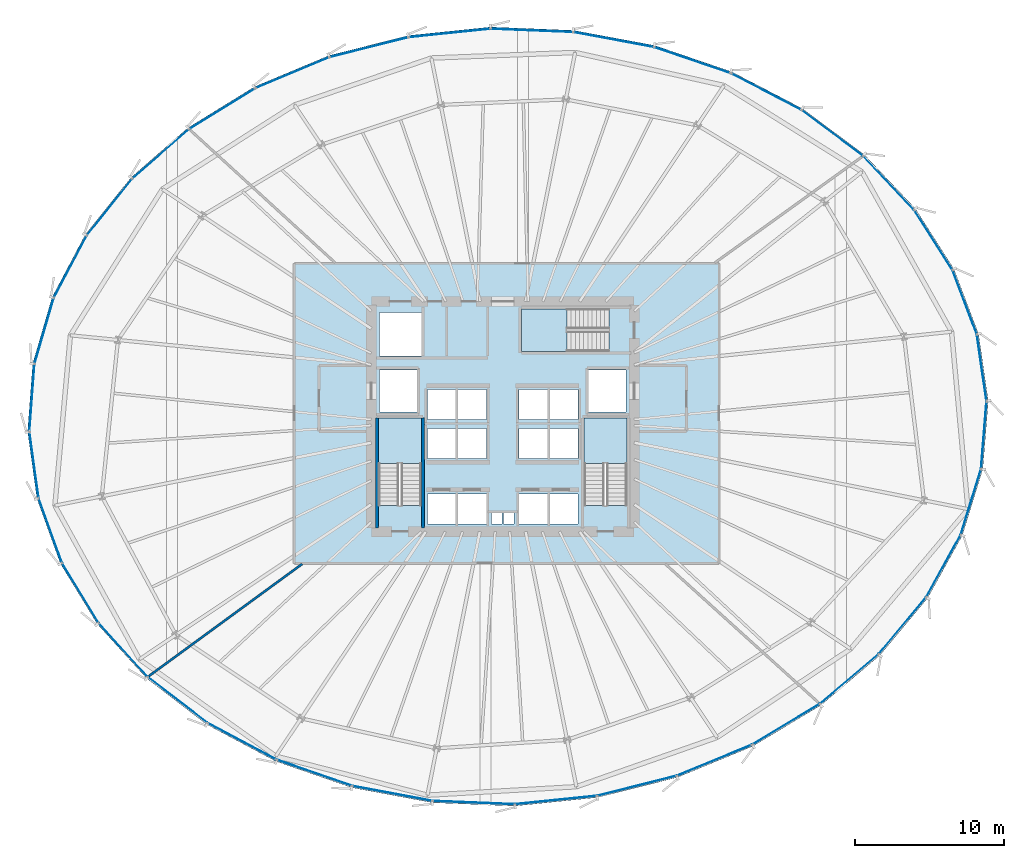
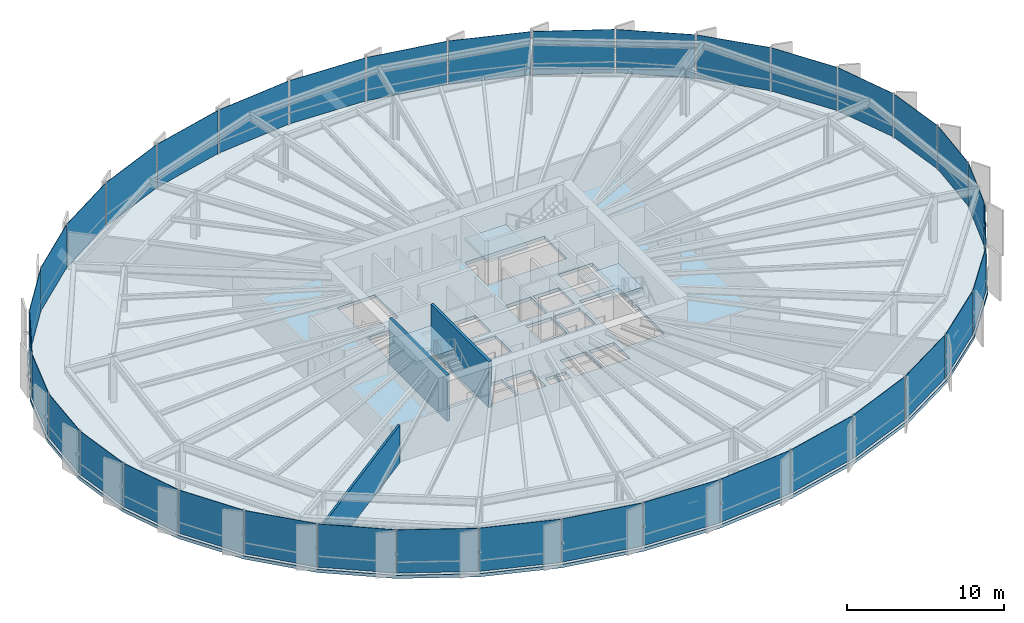
# One storey, part 33 of 42: 36 plates, 4 slabs, 3 walls, 9 elements without a shape of their own.
"""IFC4 building model written with IfcOpenShell, lengths in metres."""

from ifc_helpers import new_model, si_unit, direction, frame, frame_2d, origin, origin_2d, place, context, subcontext, project, spatial, polyline, rectangle, outline, extrude, source, transform, mapped, material, layer, layer_set, type_object, element, aggregate, save


model = new_model("IFC4")

# Units and contexts
model_context = context("Model", 3, precision=1e-05, world=origin(), true_north=direction((0.0, 1.0)))
body_context = subcontext(model_context, "Body", "Model", "MODEL_VIEW")
ifc_project = project(units=[si_unit("LENGTHUNIT", "METRE"), si_unit("AREAUNIT", "SQUARE_METRE"), si_unit("VOLUMEUNIT", "CUBIC_METRE"), si_unit("PLANEANGLEUNIT", "RADIAN"), si_unit("MASSUNIT", "GRAM", prefix="KILO"), si_unit("THERMODYNAMICTEMPERATUREUNIT", "KELVIN")], contexts=[model_context])

# Site, building, storey
site_placement = place(None, origin())
site = spatial("IfcSite", under=ifc_project, at=site_placement, CompositionType="ELEMENT")
building_placement = place(site_placement, origin())
building = spatial("IfcBuilding", under=site, at=building_placement, Name="Kethvar Cultural Tower", CompositionType="ELEMENT")
storey_placement = place(building_placement, frame((0.0, 0.0, 37.199951171875)))
storey = spatial("IfcBuildingStorey", under=building, at=storey_placement, Name="L08", CompositionType="ELEMENT", Elevation=37.199951171875)

# Stair, slab
ifc_material_1 = material(Name="Concrete C40/50", Category="concrete")
stair_type = type_object("IfcStairType", Name="ST-DOGLEG-135", PredefinedType="HALF_TURN_STAIR", material=ifc_material_1)
stair_1_placement = place(storey_placement, origin())
stair_1 = element("IfcStair", 1, at=stair_1_placement, inside=storey, type_object=stair_type, Name="L08 Core Exit Stair 1", PredefinedType="HALF_TURN_STAIR")
ifc_layer_1 = layer(ifc_material_1, 0.199951171875, Name="Concrete C40/50", Category="concrete")
ifc_layer_set_1 = layer_set([ifc_layer_1], Name="Concrete C40/50 (200 mm)")
slab_type_1 = type_object("IfcSlabType", Name="SL-STAIR-LANDING-200", PredefinedType="LANDING", material=ifc_layer_set_1)
slab_1_placement = place(storey_placement, frame((0.0, 0.0, 1.699951171875)))
slab_1 = element("IfcSlab", 2, at=slab_1_placement, type_object=slab_type_1, Name="ST-01 landing 1", PredefinedType="LANDING", context=body_context, shape_type="SweptSolid", body=[
    extrude(outline(polyline([(41.35009765625, 24.64990234375), (41.35009765625, 27.699951171875), (38.489990234375, 27.699951171875), (38.489990234375, 24.64990234375), (41.35009765625, 24.64990234375)])), origin(), (0.0, 0.0, 1.0), 0.2001953125),
])
aggregate(stair_1, [slab_1])

stair_2_placement = place(storey_placement, origin())
stair_2 = element("IfcStair", 3, at=stair_2_placement, inside=storey, type_object=stair_type, Name="L08 Core Exit Stair 2", PredefinedType="HALF_TURN_STAIR")
slab_2_placement = place(storey_placement, frame((0.0, 0.0, 1.699951171875)))
slab_2 = element("IfcSlab", 4, at=slab_2_placement, type_object=slab_type_1, Name="ST-02 landing 1", PredefinedType="LANDING", context=body_context, shape_type="SweptSolid", body=[
    extrude(outline(polyline([(55.110107421875, 24.64990234375), (55.110107421875, 27.699951171875), (52.25, 27.699951171875), (52.25, 24.64990234375), (55.110107421875, 24.64990234375)])), origin(), (0.0, 0.0, 1.0), 0.2001953125),
])
aggregate(stair_2, [slab_2])

stair_3_placement = place(storey_placement, origin())
stair_3 = element("IfcStair", 5, at=stair_3_placement, inside=storey, type_object=stair_type, Name="L08 Core Exit Stair 3", PredefinedType="HALF_TURN_STAIR")
slab_3_placement = place(storey_placement, frame((0.0, 0.0, 1.699951171875)))
slab_3 = element("IfcSlab", 6, at=slab_3_placement, type_object=slab_type_1, Name="ST-03 landing 1", PredefinedType="LANDING", context=body_context, shape_type="SweptSolid", body=[
    extrude(outline(polyline([(51.10009765625, 35.010009765625), (48.050048828125, 35.010009765625), (48.050048828125, 32.14990234375), (51.10009765625, 32.14990234375), (51.10009765625, 35.010009765625)])), origin(), (0.0, 0.0, 1.0), 0.2001953125),
])
aggregate(stair_3, [slab_3])

# Slab
ifc_layer_2 = layer(ifc_material_1, 0.25, Name="Concrete C40/50", Category="concrete")
ifc_layer_set_2 = layer_set([ifc_layer_2], Name="Concrete C40/50 (250 mm)")
slab_type_2 = type_object("IfcSlabType", Name="SL-TOW-250", PredefinedType="FLOOR", material=ifc_layer_set_2)
slab_4_placement = place(storey_placement, frame((0.0, 0.0, -0.25)))
element("IfcSlab", 7, at=slab_4_placement, inside=storey, type_object=slab_type_2, Name="L08 Structural Floor Slab", PredefinedType="FLOOR", context=body_context, shape_type="SweptSolid", body=[
    extrude(outline(polyline([(79.300537109375, 28.8212890625), (78.64892578125, 33.332275390625), (77.001708984375, 37.67431640625), (74.419189453125, 41.715576171875), (70.99365234375, 45.333984375), (66.845458984375, 48.420166015625), (62.114501953125, 50.880615234375), (56.95458984375, 52.640625), (51.524169921875, 53.6474609375), (45.980712890625, 53.86962890625), (40.470947265625, 53.300048828125), (35.153564453125, 51.95556640625), (30.18994140625, 49.877197265625), (25.731201171875, 47.128173828125), (21.91259765625, 43.79150390625), (18.85009765625, 39.96923828125), (16.63671875, 35.777099609375), (15.33984375, 31.3427734375), (14.9990234375, 26.800537109375), (15.62451171875, 22.288818359375), (17.197021484375, 17.944580078125), (19.669189453125, 13.899658203125), (22.9658203125, 10.277099609375), (26.986328125, 7.18701171875), (31.60888671875, 4.723388671875), (36.693359375, 2.960693359375), (42.084716796875, 1.952880859375), (47.619384765625, 1.73046875), (53.1376953125, 2.30029296875), (58.494384765625, 3.64599609375), (63.53369140625, 5.7265625), (68.1005859375, 8.479248046875), (72.046875, 11.819580078125), (75.23828125, 15.64599609375), (77.562255859375, 19.841552734375), (78.933349609375, 24.2783203125), (79.300537109375, 28.8212890625)]), holes=[polyline([(38.489990234375, 21.85009765625), (38.489990234375, 27.699951171875), (41.35009765625, 27.699951171875), (41.35009765625, 21.85009765625), (38.489990234375, 21.85009765625)]), polyline([(52.25, 21.85009765625), (52.25, 27.699951171875), (55.110107421875, 27.699951171875), (55.110107421875, 21.85009765625), (52.25, 21.85009765625)]), polyline([(53.89990234375, 32.14990234375), (48.050048828125, 32.14990234375), (48.050048828125, 35.010009765625), (53.89990234375, 35.010009765625), (53.89990234375, 32.14990234375)]), polyline([(41.75, 22.60009765625), (43.64990234375, 22.60009765625), (43.64990234375, 20.60009765625), (41.75, 20.60009765625), (41.75, 22.60009765625)]), polyline([(43.800048828125, 22.60009765625), (45.699951171875, 22.60009765625), (45.699951171875, 20.60009765625), (43.800048828125, 20.60009765625), (43.800048828125, 22.60009765625)]), polyline([(47.89990234375, 22.60009765625), (49.800048828125, 22.60009765625), (49.800048828125, 20.60009765625), (47.89990234375, 20.60009765625), (47.89990234375, 22.60009765625)]), polyline([(49.949951171875, 22.60009765625), (51.85009765625, 22.60009765625), (51.85009765625, 20.60009765625), (49.949951171875, 20.60009765625), (49.949951171875, 22.60009765625)]), polyline([(41.75, 27.0), (43.64990234375, 27.0), (43.64990234375, 25.0), (41.75, 25.0), (41.75, 27.0)]), polyline([(43.800048828125, 27.0), (45.699951171875, 27.0), (45.699951171875, 25.0), (43.800048828125, 25.0), (43.800048828125, 27.0)]), polyline([(47.89990234375, 27.0), (49.800048828125, 27.0), (49.800048828125, 25.0), (47.89990234375, 25.0), (47.89990234375, 27.0)]), polyline([(49.949951171875, 27.0), (51.85009765625, 27.0), (51.85009765625, 25.0), (49.949951171875, 25.0), (49.949951171875, 27.0)]), polyline([(41.75, 29.60009765625), (43.64990234375, 29.60009765625), (43.64990234375, 27.60009765625), (41.75, 27.60009765625), (41.75, 29.60009765625)]), polyline([(43.800048828125, 29.60009765625), (45.699951171875, 29.60009765625), (45.699951171875, 27.60009765625), (43.800048828125, 27.60009765625), (43.800048828125, 29.60009765625)]), polyline([(47.89990234375, 29.60009765625), (49.800048828125, 29.60009765625), (49.800048828125, 27.60009765625), (47.89990234375, 27.60009765625), (47.89990234375, 29.60009765625)]), polyline([(49.949951171875, 29.60009765625), (51.85009765625, 29.60009765625), (51.85009765625, 27.60009765625), (49.949951171875, 27.60009765625), (49.949951171875, 29.60009765625)]), polyline([(38.550048828125, 30.89990234375), (41.050048828125, 30.89990234375), (41.050048828125, 28.10009765625), (38.550048828125, 28.10009765625), (38.550048828125, 30.89990234375)]), polyline([(52.550048828125, 30.89990234375), (55.050048828125, 30.89990234375), (55.050048828125, 28.10009765625), (52.550048828125, 28.10009765625), (52.550048828125, 30.89990234375)]), polyline([(38.550048828125, 34.75), (41.35009765625, 34.75), (41.35009765625, 31.85009765625), (38.550048828125, 31.85009765625), (38.550048828125, 34.75)]), polyline([(46.050048828125, 21.35009765625), (46.75, 21.35009765625), (46.75, 20.60009765625), (46.050048828125, 20.60009765625), (46.050048828125, 21.35009765625)]), polyline([(46.85009765625, 21.35009765625), (47.550048828125, 21.35009765625), (47.550048828125, 20.60009765625), (46.85009765625, 20.60009765625), (46.85009765625, 21.35009765625)])]), origin(), (0.0, 0.0, 1.0), 0.25),
])

# Curtain wall, plate
ifc_material_2 = material(Name="Aluminium 6063-T6", Category="aluminium")
ifc_layer_3 = layer(ifc_material_2, 0.179931640625, Name="Aluminium 6063-T6", Category="aluminium")
ifc_layer_set_3 = layer_set([ifc_layer_3], Name="Aluminium 6063-T6 (180 mm)")
curtain_wall_type = type_object("IfcCurtainWallType", Name="CW-SYS-02-Z1", PredefinedType="NOTDEFINED", material=ifc_layer_set_3)
curtain_wall_1_placement = place(storey_placement, origin())
curtain_wall_1 = element("IfcCurtainWall", 8, at=curtain_wall_1_placement, inside=storey, type_object=curtain_wall_type, Name="L08 Curtain Wall Run 01", PredefinedType="NOTDEFINED")
ifc_material_3 = material(Name="Insulated Low-E Solar Glass", Category="glass")
ifc_layer_4 = layer(ifc_material_3, 0.031982421875, Name="Insulated Low-E Solar Glass", Category="glass")
ifc_layer_set_4 = layer_set([ifc_layer_4], Name="Insulated Low-E Solar Glass (32 mm)")
plate_type = type_object("IfcPlateType", Name="CW-SYS-02-Z1-PNL", PredefinedType="CURTAIN_PANEL", material=ifc_layer_set_4)
shared_shape_1 = source(origin(), body_context, "Body", "SweptSolid", [
    extrude(rectangle(XDim=4.464111328125, YDim=0.031982421875, at=origin_2d()), origin(), (0.0, 0.0, 1.0), 3.35009765625),
])
plate_1_placement = place(storey_placement, frame((78.85595703125, 31.059814453125, 0.10009765625), z_axis=(0.0, 0.0, 1.0), x_axis=(-0.142991696053, 0.989723888193, 0.0)))
plate_1 = element("IfcPlate", 9, at=plate_1_placement, type_object=plate_type, Name="CW-L08-R01 Vision Glazing Panel 1", PredefinedType="CURTAIN_PANEL", context=body_context, shape_type="MappedRepresentation", body=[
    mapped(shared_shape_1, transform((0.0, 0.0, 0.0), scale=1.0)),
])

curtain_wall_2_placement = place(storey_placement, origin())
curtain_wall_2 = element("IfcCurtainWall", 10, at=curtain_wall_2_placement, inside=storey, type_object=curtain_wall_type, Name="L08 Curtain Wall Run 06", PredefinedType="NOTDEFINED")
plate_2_placement = place(storey_placement, frame((78.997314453125, 26.5595703125, 0.10009765625), z_axis=(0.0, 0.0, 1.0), x_axis=(0.080564257474, 0.996749417064, 0.0)))
plate_2 = element("IfcPlate", 11, at=plate_2_placement, type_object=plate_type, Name="CW-L08-R06 Vision Glazing Panel 6", PredefinedType="CURTAIN_PANEL", context=body_context, shape_type="MappedRepresentation", body=[
    mapped(shared_shape_1, transform((0.0, 0.0, 0.0), scale=1.0)),
])

# Plate
shared_shape_2 = source(origin(), body_context, "Body", "SweptSolid", [
    extrude(rectangle(XDim=4.55029296875, YDim=0.031982421875, at=origin_2d()), origin(), (0.0, 0.0, 1.0), 3.35009765625),
])
plate_3_placement = place(storey_placement, frame((77.713134765625, 35.460693359375, 0.10009765625), z_axis=(0.0, 0.0, 1.0), x_axis=(-0.354682715425, 0.934986722568, 0.0)))
plate_3 = element("IfcPlate", 12, at=plate_3_placement, type_object=plate_type, Name="CW-L08-R01 Vision Glazing Panel 2", PredefinedType="CURTAIN_PANEL", context=body_context, shape_type="MappedRepresentation", body=[
    mapped(shared_shape_2, transform((0.0, 0.0, 0.0), scale=1.0)),
])

plate_4_placement = place(storey_placement, frame((78.13330078125, 22.095458984375, 0.10009765625), z_axis=(0.0, 0.0, 1.0), x_axis=(0.295274528043, 0.955412451818, 0.0)))
plate_4 = element("IfcPlate", 13, at=plate_4_placement, type_object=plate_type, Name="CW-L08-R06 Vision Glazing Panel 5", PredefinedType="CURTAIN_PANEL", context=body_context, shape_type="MappedRepresentation", body=[
    mapped(shared_shape_2, transform((0.0, 0.0, 0.0), scale=1.0)),
])

shared_shape_3 = source(origin(), body_context, "Body", "SweptSolid", [
    extrude(rectangle(XDim=4.702392578125, YDim=0.031982421875, at=origin_2d()), origin(), (0.0, 0.0, 1.0), 3.35009765625),
])
plate_5_placement = place(storey_placement, frame((75.609375, 39.63037109375, 0.10009765625), z_axis=(0.0, 0.0, 1.0), x_axis=(-0.538506094198, 0.842621615265, 0.0)))
plate_5 = element("IfcPlate", 14, at=plate_5_placement, type_object=plate_type, Name="CW-L08-R01 Vision Glazing Panel 3", PredefinedType="CURTAIN_PANEL", context=body_context, shape_type="MappedRepresentation", body=[
    mapped(shared_shape_3, transform((0.0, 0.0, 0.0), scale=1.0)),
])

shared_shape_4 = source(origin(), body_context, "Body", "SweptSolid", [
    extrude(rectangle(XDim=4.88916015625, YDim=0.031982421875, at=origin_2d()), origin(), (0.0, 0.0, 1.0), 3.35009765625),
])
plate_6_placement = place(storey_placement, frame((72.619140625, 43.4423828125, 0.10009765625), z_axis=(0.0, 0.0, 1.0), x_axis=(-0.687467850211, 0.726214813211, 0.0)))
plate_6 = element("IfcPlate", 15, at=plate_6_placement, type_object=plate_type, Name="CW-L08-R01 Vision Glazing Panel 4", PredefinedType="CURTAIN_PANEL", context=body_context, shape_type="MappedRepresentation", body=[
    mapped(shared_shape_4, transform((0.0, 0.0, 0.0), scale=1.0)),
])

shared_shape_5 = source(origin(), body_context, "Body", "SweptSolid", [
    extrude(rectangle(XDim=5.07666015625, YDim=0.031982421875, at=origin_2d()), origin(), (0.0, 0.0, 1.0), 3.35009765625),
])
plate_7_placement = place(storey_placement, frame((68.847900390625, 46.781005859375, 0.10009765625), z_axis=(0.0, 0.0, 1.0), x_axis=(-0.802338536497, 0.596869225921, 0.0)))
plate_7 = element("IfcPlate", 16, at=plate_7_placement, type_object=plate_type, Name="CW-L08-R01 Vision Glazing Panel 5", PredefinedType="CURTAIN_PANEL", context=body_context, shape_type="MappedRepresentation", body=[
    mapped(shared_shape_5, transform((0.0, 0.0, 0.0), scale=1.0)),
])

plate_8_placement = place(storey_placement, frame((69.99609375, 10.2412109375, 0.10009765625), z_axis=(0.0, 0.0, 1.0), x_axis=(0.763255023299, 0.64609733741, 0.0)))
plate_8 = element("IfcPlate", 17, at=plate_8_placement, type_object=plate_type, Name="CW-L08-R06 Vision Glazing Panel 2", PredefinedType="CURTAIN_PANEL", context=body_context, shape_type="MappedRepresentation", body=[
    mapped(shared_shape_5, transform((0.0, 0.0, 0.0), scale=1.0)),
])

shared_shape_6 = source(origin(), body_context, "Body", "SweptSolid", [
    extrude(rectangle(XDim=5.23876953125, YDim=0.031982421875, at=origin_2d()), origin(), (0.0, 0.0, 1.0), 3.35009765625),
])
plate_9_placement = place(storey_placement, frame((64.424560546875, 49.543701171875, 0.10009765625), z_axis=(0.0, 0.0, 1.0), x_axis=(-0.887188066525, 0.461407991495, 0.0)))
plate_9 = element("IfcPlate", 18, at=plate_9_placement, type_object=plate_type, Name="CW-L08-R01 Vision Glazing Panel 6", PredefinedType="CURTAIN_PANEL", context=body_context, shape_type="MappedRepresentation", body=[
    mapped(shared_shape_6, transform((0.0, 0.0, 0.0), scale=1.0)),
])

aggregate(curtain_wall_1, [plate_1, plate_3, plate_5, plate_6, plate_7, plate_9])

plate_10_placement = place(storey_placement, frame((65.755126953125, 7.205810546875, 0.10009765625), z_axis=(0.0, 0.0, 1.0), x_axis=(0.856456346435, 0.516219455901, 0.0)))
plate_10 = element("IfcPlate", 19, at=plate_10_placement, type_object=plate_type, Name="CW-L08-R06 Vision Glazing Panel 1", PredefinedType="CURTAIN_PANEL", context=body_context, shape_type="MappedRepresentation", body=[
    mapped(shared_shape_6, transform((0.0, 0.0, 0.0), scale=1.0)),
])

# Curtain wall, plate
curtain_wall_3_placement = place(storey_placement, origin())
curtain_wall_3 = element("IfcCurtainWall", 20, at=curtain_wall_3_placement, inside=storey, type_object=curtain_wall_type, Name="L08 Curtain Wall Run 02", PredefinedType="NOTDEFINED")
shared_shape_7 = source(origin(), body_context, "Body", "SweptSolid", [
    extrude(rectangle(XDim=5.3583984375, YDim=0.031982421875, at=origin_2d()), origin(), (0.0, 0.0, 1.0), 3.35009765625),
])
plate_11_placement = place(storey_placement, frame((59.495849609375, 51.64697265625, 0.10009765625), z_axis=(0.0, 0.0, 1.0), x_axis=(-0.94644658776, 0.322860428851, 0.0)))
plate_11 = element("IfcPlate", 21, at=plate_11_placement, type_object=plate_type, Name="CW-L08-R02 Vision Glazing Panel 1", PredefinedType="CURTAIN_PANEL", context=body_context, shape_type="MappedRepresentation", body=[
    mapped(shared_shape_7, transform((0.0, 0.0, 0.0), scale=1.0)),
])

curtain_wall_4_placement = place(storey_placement, origin())
curtain_wall_4 = element("IfcCurtainWall", 22, at=curtain_wall_4_placement, inside=storey, type_object=curtain_wall_type, Name="L08 Curtain Wall Run 05", PredefinedType="NOTDEFINED")
plate_12_placement = place(storey_placement, frame((60.96826171875, 4.797119140625, 0.10009765625), z_axis=(0.0, 0.0, 1.0), x_axis=(0.92431307848, 0.381635078249, 0.0)))
plate_12 = element("IfcPlate", 23, at=plate_12_placement, type_object=plate_type, Name="CW-L08-R05 Vision Glazing Panel 6", PredefinedType="CURTAIN_PANEL", context=body_context, shape_type="MappedRepresentation", body=[
    mapped(shared_shape_7, transform((0.0, 0.0, 0.0), scale=1.0)),
])

# Plate
shared_shape_8 = source(origin(), body_context, "Body", "SweptSolid", [
    extrude(rectangle(XDim=5.429443359375, YDim=0.031982421875, at=origin_2d()), origin(), (0.0, 0.0, 1.0), 3.35009765625),
])
plate_13_placement = place(storey_placement, frame((54.21728515625, 53.02587890625, 0.10009765625), z_axis=(0.0, 0.0, 1.0), x_axis=(-0.983248545745, 0.182269847452, 0.0)))
plate_13 = element("IfcPlate", 24, at=plate_13_placement, type_object=plate_type, Name="CW-L08-R02 Vision Glazing Panel 2", PredefinedType="CURTAIN_PANEL", context=body_context, shape_type="MappedRepresentation", body=[
    mapped(shared_shape_8, transform((0.0, 0.0, 0.0), scale=1.0)),
])

shared_shape_9 = source(origin(), body_context, "Body", "SweptSolid", [
    extrude(rectangle(XDim=5.4541015625, YDim=0.031982421875, at=origin_2d()), origin(), (0.0, 0.0, 1.0), 3.35009765625),
])
plate_14_placement = place(storey_placement, frame((48.74755859375, 53.638671875, 0.10009765625), z_axis=(0.0, 0.0, 1.0), x_axis=(-0.999197893469, 0.04004459622, 0.0)))
plate_14 = element("IfcPlate", 25, at=plate_14_placement, type_object=plate_type, Name="CW-L08-R02 Vision Glazing Panel 3", PredefinedType="CURTAIN_PANEL", context=body_context, shape_type="MappedRepresentation", body=[
    mapped(shared_shape_9, transform((0.0, 0.0, 0.0), scale=1.0)),
])

shared_shape_10 = source(origin(), body_context, "Body", "SweptSolid", [
    extrude(rectangle(XDim=5.445556640625, YDim=0.031982421875, at=origin_2d()), origin(), (0.0, 0.0, 1.0), 3.35009765625),
])
plate_15_placement = place(storey_placement, frame((43.23828125, 53.46533203125, 0.10009765625), z_axis=(0.0, 0.0, 1.0), x_axis=(-0.994699228375, -0.102827258403, 0.0)))
plate_15 = element("IfcPlate", 26, at=plate_15_placement, type_object=plate_type, Name="CW-L08-R02 Vision Glazing Panel 4", PredefinedType="CURTAIN_PANEL", context=body_context, shape_type="MappedRepresentation", body=[
    mapped(shared_shape_10, transform((0.0, 0.0, 0.0), scale=1.0)),
])

plate_16_placement = place(storey_placement, frame((44.856689453125, 1.96142578125, 0.10009765625), z_axis=(0.0, 0.0, 1.0), x_axis=(0.999192993642, -0.040166670972, 0.0)))
plate_16 = element("IfcPlate", 27, at=plate_16_placement, type_object=plate_type, Name="CW-L08-R05 Vision Glazing Panel 3", PredefinedType="CURTAIN_PANEL", context=body_context, shape_type="MappedRepresentation", body=[
    mapped(shared_shape_10, transform((0.0, 0.0, 0.0), scale=1.0)),
])

shared_shape_11 = source(origin(), body_context, "Body", "SweptSolid", [
    extrude(rectangle(XDim=5.39111328125, YDim=0.031982421875, at=origin_2d()), origin(), (0.0, 0.0, 1.0), 3.35009765625),
])
plate_17_placement = place(storey_placement, frame((37.841796875, 52.511474609375, 0.10009765625), z_axis=(0.0, 0.0, 1.0), x_axis=(-0.969492427666, -0.245121261213, 0.0)))
plate_17 = element("IfcPlate", 28, at=plate_17_placement, type_object=plate_type, Name="CW-L08-R02 Vision Glazing Panel 5", PredefinedType="CURTAIN_PANEL", context=body_context, shape_type="MappedRepresentation", body=[
    mapped(shared_shape_11, transform((0.0, 0.0, 0.0), scale=1.0)),
])

plate_18_placement = place(storey_placement, frame((39.4111328125, 2.57470703125, 0.10009765625), z_axis=(0.0, 0.0, 1.0), x_axis=(0.982970647159, -0.183762637184, 0.0)))
plate_18 = element("IfcPlate", 29, at=plate_18_placement, type_object=plate_type, Name="CW-L08-R05 Vision Glazing Panel 2", PredefinedType="CURTAIN_PANEL", context=body_context, shape_type="MappedRepresentation", body=[
    mapped(shared_shape_11, transform((0.0, 0.0, 0.0), scale=1.0)),
])

shared_shape_12 = source(origin(), body_context, "Body", "SweptSolid", [
    extrude(rectangle(XDim=5.28759765625, YDim=0.031982421875, at=origin_2d()), origin(), (0.0, 0.0, 1.0), 3.35009765625),
])
plate_19_placement = place(storey_placement, frame((32.718017578125, 50.8056640625, 0.10009765625), z_axis=(0.0, 0.0, 1.0), x_axis=(-0.922403326634, -0.38622804535, 0.0)))
plate_19 = element("IfcPlate", 30, at=plate_19_placement, type_object=plate_type, Name="CW-L08-R02 Vision Glazing Panel 6", PredefinedType="CURTAIN_PANEL", context=body_context, shape_type="MappedRepresentation", body=[
    mapped(shared_shape_12, transform((0.0, 0.0, 0.0), scale=1.0)),
])

aggregate(curtain_wall_3, [plate_11, plate_13, plate_14, plate_15, plate_17, plate_19])

plate_20_placement = place(storey_placement, frame((34.1904296875, 3.95556640625, 0.10009765625), z_axis=(0.0, 0.0, 1.0), x_axis=(0.944834633996, -0.327547728433, 0.0)))
plate_20 = element("IfcPlate", 31, at=plate_20_placement, type_object=plate_type, Name="CW-L08-R05 Vision Glazing Panel 1", PredefinedType="CURTAIN_PANEL", context=body_context, shape_type="MappedRepresentation", body=[
    mapped(shared_shape_12, transform((0.0, 0.0, 0.0), scale=1.0)),
])

# Curtain wall, plate
curtain_wall_5_placement = place(storey_placement, origin())
curtain_wall_5 = element("IfcCurtainWall", 32, at=curtain_wall_5_placement, inside=storey, type_object=curtain_wall_type, Name="L08 Curtain Wall Run 03", PredefinedType="NOTDEFINED")
shared_shape_13 = source(origin(), body_context, "Body", "SweptSolid", [
    extrude(rectangle(XDim=5.14453125, YDim=0.031982421875, at=origin_2d()), origin(), (0.0, 0.0, 1.0), 3.35009765625),
])
plate_21_placement = place(storey_placement, frame((28.023681640625, 48.400390625, 0.10009765625), z_axis=(0.0, 0.0, 1.0), x_axis=(-0.851214391765, -0.524818120163, 0.0)))
plate_21 = element("IfcPlate", 33, at=plate_21_placement, type_object=plate_type, Name="CW-L08-R03 Vision Glazing Panel 1", PredefinedType="CURTAIN_PANEL", context=body_context, shape_type="MappedRepresentation", body=[
    mapped(shared_shape_13, transform((0.0, 0.0, 0.0), scale=1.0)),
])

curtain_wall_6_placement = place(storey_placement, origin())
curtain_wall_6 = element("IfcCurtainWall", 34, at=curtain_wall_6_placement, inside=storey, type_object=curtain_wall_type, Name="L08 Curtain Wall Run 04", PredefinedType="NOTDEFINED")
plate_22_placement = place(storey_placement, frame((29.35400390625, 6.06103515625, 0.10009765625), z_axis=(0.0, 0.0, 1.0), x_axis=(0.882488317028, -0.470334317597, 0.0)))
plate_22 = element("IfcPlate", 35, at=plate_22_placement, type_object=plate_type, Name="CW-L08-R04 Vision Glazing Panel 6", PredefinedType="CURTAIN_PANEL", context=body_context, shape_type="MappedRepresentation", body=[
    mapped(shared_shape_13, transform((0.0, 0.0, 0.0), scale=1.0)),
])

# Plate
shared_shape_14 = source(origin(), body_context, "Body", "SweptSolid", [
    extrude(rectangle(XDim=4.977294921875, YDim=0.031982421875, at=origin_2d()), origin(), (0.0, 0.0, 1.0), 3.35009765625),
])
plate_23_placement = place(storey_placement, frame((23.90087890625, 45.369384765625, 0.10009765625), z_axis=(0.0, 0.0, 1.0), x_axis=(-0.753046858626, -0.657966890287, 0.0)))
plate_23 = element("IfcPlate", 36, at=plate_23_placement, type_object=plate_type, Name="CW-L08-R03 Vision Glazing Panel 2", PredefinedType="CURTAIN_PANEL", context=body_context, shape_type="MappedRepresentation", body=[
    mapped(shared_shape_14, transform((0.0, 0.0, 0.0), scale=1.0)),
])

plate_24_placement = place(storey_placement, frame((25.04931640625, 8.827392578125, 0.10009765625), z_axis=(0.0, 0.0, 1.0), x_axis=(0.792885611184, -0.609370501072, 0.0)))
plate_24 = element("IfcPlate", 37, at=plate_24_placement, type_object=plate_type, Name="CW-L08-R04 Vision Glazing Panel 5", PredefinedType="CURTAIN_PANEL", context=body_context, shape_type="MappedRepresentation", body=[
    mapped(shared_shape_14, transform((0.0, 0.0, 0.0), scale=1.0)),
])

shared_shape_15 = source(origin(), body_context, "Body", "SweptSolid", [
    extrude(rectangle(XDim=4.80419921875, YDim=0.031982421875, at=origin_2d()), origin(), (0.0, 0.0, 1.0), 3.35009765625),
])
plate_25_placement = place(storey_placement, frame((20.474853515625, 41.805419921875, 0.10009765625), z_axis=(0.0, 0.0, 1.0), x_axis=(-0.625269898115, -0.780408581777, 0.0)))
plate_25 = element("IfcPlate", 38, at=plate_25_placement, type_object=plate_type, Name="CW-L08-R03 Vision Glazing Panel 3", PredefinedType="CURTAIN_PANEL", context=body_context, shape_type="MappedRepresentation", body=[
    mapped(shared_shape_15, transform((0.0, 0.0, 0.0), scale=1.0)),
])

plate_26_placement = place(storey_placement, frame((21.40625, 12.169189453125, 0.10009765625), z_axis=(0.0, 0.0, 1.0), x_axis=(0.673038331095, -0.739607601959, 0.0)))
plate_26 = element("IfcPlate", 39, at=plate_26_placement, type_object=plate_type, Name="CW-L08-R04 Vision Glazing Panel 4", PredefinedType="CURTAIN_PANEL", context=body_context, shape_type="MappedRepresentation", body=[
    mapped(shared_shape_15, transform((0.0, 0.0, 0.0), scale=1.0)),
])

shared_shape_16 = source(origin(), body_context, "Body", "SweptSolid", [
    extrude(rectangle(XDim=4.64697265625, YDim=0.031982421875, at=origin_2d()), origin(), (0.0, 0.0, 1.0), 3.35009765625),
])
plate_27_placement = place(storey_placement, frame((17.849609375, 37.8173828125, 0.10009765625), z_axis=(0.0, 0.0, 1.0), x_axis=(-0.466896045022, -0.884312209088, 0.0)))
plate_27 = element("IfcPlate", 40, at=plate_27_placement, type_object=plate_type, Name="CW-L08-R03 Vision Glazing Panel 4", PredefinedType="CURTAIN_PANEL", context=body_context, shape_type="MappedRepresentation", body=[
    mapped(shared_shape_16, transform((0.0, 0.0, 0.0), scale=1.0)),
])

plate_28_placement = place(storey_placement, frame((18.53564453125, 15.984619140625, 0.10009765625), z_axis=(0.0, 0.0, 1.0), x_axis=(0.521486263253, -0.853259677495, 0.0)))
plate_28 = element("IfcPlate", 41, at=plate_28_placement, type_object=plate_type, Name="CW-L08-R04 Vision Glazing Panel 3", PredefinedType="CURTAIN_PANEL", context=body_context, shape_type="MappedRepresentation", body=[
    mapped(shared_shape_16, transform((0.0, 0.0, 0.0), scale=1.0)),
])

shared_shape_17 = source(origin(), body_context, "Body", "SweptSolid", [
    extrude(rectangle(XDim=4.526611328125, YDim=0.031982421875, at=origin_2d()), origin(), (0.0, 0.0, 1.0), 3.35009765625),
])
plate_29_placement = place(storey_placement, frame((16.103515625, 33.526123046875, 0.10009765625), z_axis=(0.0, 0.0, 1.0), x_axis=(-0.280683460641, -0.959800393271, 0.0)))
plate_29 = element("IfcPlate", 42, at=plate_29_placement, type_object=plate_type, Name="CW-L08-R03 Vision Glazing Panel 5", PredefinedType="CURTAIN_PANEL", context=body_context, shape_type="MappedRepresentation", body=[
    mapped(shared_shape_17, transform((0.0, 0.0, 0.0), scale=1.0)),
])

plate_30_placement = place(storey_placement, frame((16.523681640625, 20.15771484375, 0.10009765625), z_axis=(0.0, 0.0, 1.0), x_axis=(0.340379550213, -0.94028812701, 0.0)))
plate_30 = element("IfcPlate", 43, at=plate_30_placement, type_object=plate_type, Name="CW-L08-R04 Vision Glazing Panel 2", PredefinedType="CURTAIN_PANEL", context=body_context, shape_type="MappedRepresentation", body=[
    mapped(shared_shape_17, transform((0.0, 0.0, 0.0), scale=1.0)),
])

shared_shape_18 = source(origin(), body_context, "Body", "SweptSolid", [
    extrude(rectangle(XDim=4.461181640625, YDim=0.031982421875, at=origin_2d()), origin(), (0.0, 0.0, 1.0), 3.35009765625),
])
plate_31_placement = place(storey_placement, frame((15.289306640625, 29.062744140625, 0.10009765625), z_axis=(0.0, 0.0, 1.0), x_axis=(-0.074822088427, -0.997196898854, 0.0)))
plate_31 = element("IfcPlate", 44, at=plate_31_placement, type_object=plate_type, Name="CW-L08-R03 Vision Glazing Panel 6", PredefinedType="CURTAIN_PANEL", context=body_context, shape_type="MappedRepresentation", body=[
    mapped(shared_shape_18, transform((0.0, 0.0, 0.0), scale=1.0)),
])

aggregate(curtain_wall_5, [plate_21, plate_23, plate_25, plate_27, plate_29, plate_31])

plate_32_placement = place(storey_placement, frame((15.4306640625, 24.561279296875, 0.10009765625), z_axis=(0.0, 0.0, 1.0), x_axis=(0.137306243487, -0.990528644462, 0.0)))
plate_32 = element("IfcPlate", 45, at=plate_32_placement, type_object=plate_type, Name="CW-L08-R04 Vision Glazing Panel 1", PredefinedType="CURTAIN_PANEL", context=body_context, shape_type="MappedRepresentation", body=[
    mapped(shared_shape_18, transform((0.0, 0.0, 0.0), scale=1.0)),
])

aggregate(curtain_wall_6, [plate_32, plate_30, plate_28, plate_26, plate_24, plate_22])

shared_shape_19 = source(origin(), body_context, "Body", "SweptSolid", [
    extrude(rectangle(XDim=5.454345703125, YDim=0.031982421875, at=origin_2d()), origin(), (0.0, 0.0, 1.0), 3.35009765625),
])
plate_33_placement = place(storey_placement, frame((50.3662109375, 2.134765625, 0.10009765625), z_axis=(0.0, 0.0, 1.0), x_axis=(0.994709990966, 0.10272309318, 0.0)))
plate_33 = element("IfcPlate", 46, at=plate_33_placement, type_object=plate_type, Name="CW-L08-R05 Vision Glazing Panel 4", PredefinedType="CURTAIN_PANEL", context=body_context, shape_type="MappedRepresentation", body=[
    mapped(shared_shape_19, transform((0.0, 0.0, 0.0), scale=1.0)),
])

shared_shape_20 = source(origin(), body_context, "Body", "SweptSolid", [
    extrude(rectangle(XDim=5.42919921875, YDim=0.031982421875, at=origin_2d()), origin(), (0.0, 0.0, 1.0), 3.35009765625),
])
plate_34_placement = place(storey_placement, frame((55.786865234375, 3.089599609375, 0.10009765625), z_axis=(0.0, 0.0, 1.0), x_axis=(0.969867763253, 0.243631939209, 0.0)))
plate_34 = element("IfcPlate", 47, at=plate_34_placement, type_object=plate_type, Name="CW-L08-R05 Vision Glazing Panel 5", PredefinedType="CURTAIN_PANEL", context=body_context, shape_type="MappedRepresentation", body=[
    mapped(shared_shape_20, transform((0.0, 0.0, 0.0), scale=1.0)),
])

aggregate(curtain_wall_4, [plate_20, plate_18, plate_16, plate_33, plate_34, plate_12])

shared_shape_21 = source(origin(), body_context, "Body", "SweptSolid", [
    extrude(rectangle(XDim=4.888916015625, YDim=0.031982421875, at=origin_2d()), origin(), (0.0, 0.0, 1.0), 3.35009765625),
])
plate_35_placement = place(storey_placement, frame((73.550537109375, 13.809814453125, 0.10009765625), z_axis=(0.0, 0.0, 1.0), x_axis=(0.640525287162, 0.767937078481, 0.0)))
plate_35 = element("IfcPlate", 48, at=plate_35_placement, type_object=plate_type, Name="CW-L08-R06 Vision Glazing Panel 3", PredefinedType="CURTAIN_PANEL", context=body_context, shape_type="MappedRepresentation", body=[
    mapped(shared_shape_21, transform((0.0, 0.0, 0.0), scale=1.0)),
])

shared_shape_22 = source(origin(), body_context, "Body", "SweptSolid", [
    extrude(rectangle(XDim=4.70263671875, YDim=0.031982421875, at=origin_2d()), origin(), (0.0, 0.0, 1.0), 3.35009765625),
])
plate_36_placement = place(storey_placement, frame((76.29541015625, 17.802001953125, 0.10009765625), z_axis=(0.0, 0.0, 1.0), x_axis=(0.484519558717, 0.874780428005, 0.0)))
plate_36 = element("IfcPlate", 49, at=plate_36_placement, type_object=plate_type, Name="CW-L08-R06 Vision Glazing Panel 4", PredefinedType="CURTAIN_PANEL", context=body_context, shape_type="MappedRepresentation", body=[
    mapped(shared_shape_22, transform((0.0, 0.0, 0.0), scale=1.0)),
])

aggregate(curtain_wall_2, [plate_10, plate_8, plate_35, plate_36, plate_4, plate_2])

# Walls
ifc_material_4 = material(Name="Gypsum Acoustic Partition")
ifc_layer_5 = layer(ifc_material_4, 0.14990234375, Name="Gypsum Acoustic Partition")
ifc_layer_set_5 = layer_set([ifc_layer_5], Name="Gypsum Acoustic Partition (150 mm)")
wall_type_1 = type_object("IfcWallType", Name="WL-PART-150", PredefinedType="PARTITIONING", material=ifc_layer_set_5)
wall_placement = place(storey_placement, frame((33.37841796875, 17.932861328125, 0.0), z_axis=(0.0, 0.0, 1.0), x_axis=(-0.807215314331, -0.5902570934, 0.0)))
element("IfcWall", 50, at=wall_placement, inside=storey, type_object=wall_type_1, Name="L08 Radial Partition Wall 01", PredefinedType="PARTITIONING", context=body_context, shape_type="SweptSolid", body=[
    extrude(rectangle(XDim=12.698974609375, YDim=0.14990234375, at=frame_2d((6.349609375, 0.0))), origin(), (0.0, 0.0, 1.0), 2.925048828125),
])
ifc_material_5 = material(Name="Concrete C50/60", Category="concrete")
ifc_layer_6 = layer(ifc_material_5, 0.199951171875, Name="Concrete C50/60", Category="concrete")
ifc_layer_set_6 = layer_set([ifc_layer_6], Name="Concrete C50/60 (200 mm)")
wall_type_2 = type_object("IfcWallType", Name="WL-STSHAFT-200", PredefinedType="SHEAR", material=ifc_layer_set_6)
for number, where, z_axis, x_axis, name in (
    (51, (41.449951171875, 27.699951171875, 0.0), (0.0, 0.0, 1.0), (0.0, -1.0, 0.0), "L08 ST-01 Stair Shaft Wall LEFT"),
    (52, (38.389892578125, 20.35009765625, 0.0), (0.0, 0.0, 1.0), (0.0, 1.0, 0.0), "L08 ST-01 Stair Shaft Wall RIGHT"),
):
    element("IfcWall", number, at=place(storey_placement, frame(where, z_axis=z_axis, x_axis=x_axis)), inside=storey, type_object=wall_type_2, Name=name, PredefinedType="SHEAR", context=body_context, shape_type="SweptSolid", body=[
        extrude(rectangle(XDim=7.349853515625, YDim=0.199951171875, at=frame_2d((3.6748046875, 0.0))), origin(), (0.0, 0.0, 1.0), 3.550048828125),
    ])

save(model, "model.ifc")
